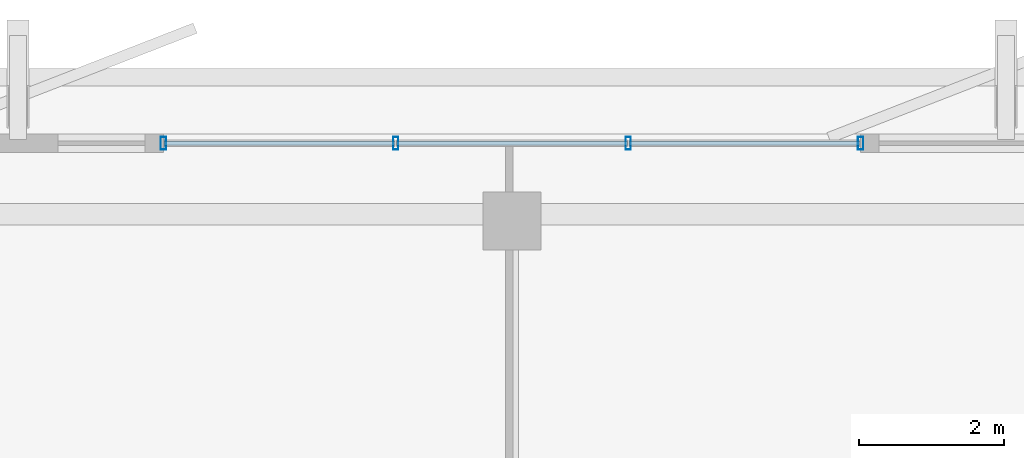
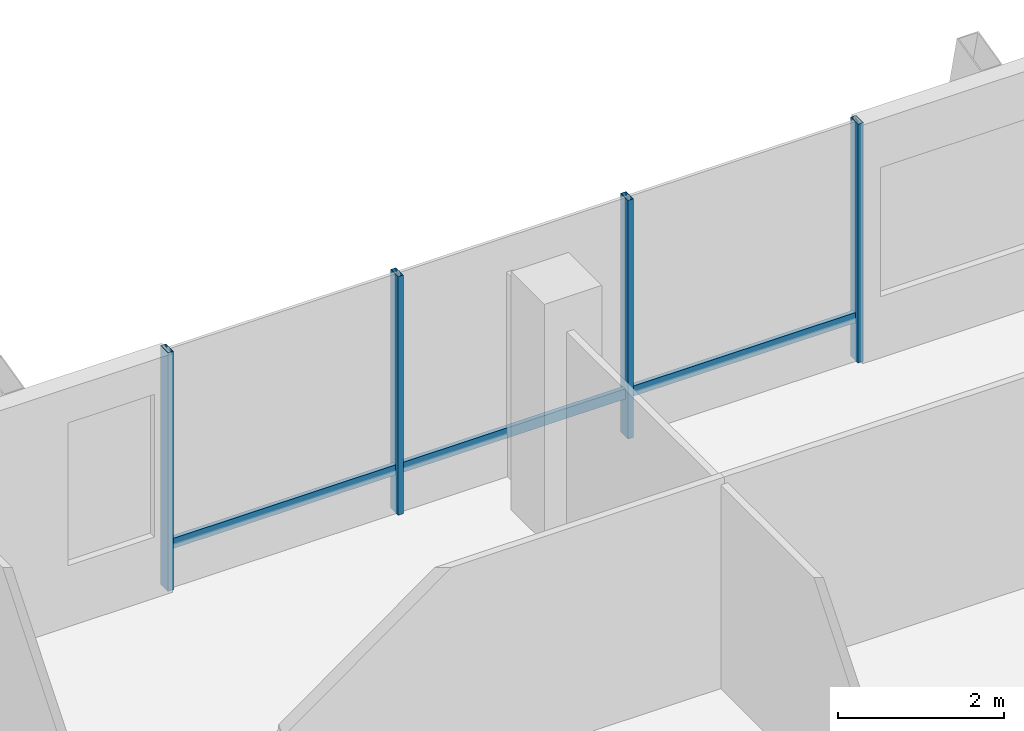
# One storey, part 12 of 18: 7 members, 1 element without a shape of its own.
"""IFC4 building model written with IfcOpenShell, lengths in metres."""

from ifc_helpers import new_model, si_unit, direction, frame, origin, origin_2d, place, context, subcontext, project, spatial, hollow_rectangle, extrude, material, layer, layer_set, material_profile, profile_set, type_object, element, aggregate, save


model = new_model("IFC4")

# Units and contexts
model_context = context("Model", 3, precision=1e-05, world=origin(), true_north=direction((0.0, 1.0)))
body_context = subcontext(model_context, "Body", "Model", "MODEL_VIEW")
ifc_project = project(units=[si_unit("LENGTHUNIT", "METRE"), si_unit("AREAUNIT", "SQUARE_METRE"), si_unit("VOLUMEUNIT", "CUBIC_METRE"), si_unit("PLANEANGLEUNIT", "RADIAN"), si_unit("MASSUNIT", "GRAM", prefix="KILO")], contexts=[model_context])

# Site, building, storey
site_placement = place(None, origin())
site = spatial("IfcSite", under=ifc_project, at=site_placement, CompositionType="ELEMENT")
building_placement = place(site_placement, origin())
building = spatial("IfcBuilding", under=site, at=building_placement, Name="Belovzor Exchange Tower", CompositionType="ELEMENT")
storey_placement = place(building_placement, frame((0.0, 0.0, 344.25)))
storey = spatial("IfcBuildingStorey", under=building, at=storey_placement, Name="L86", CompositionType="ELEMENT", Elevation=344.25)

# Curtain wall, members
ifc_material_1 = material(Name="Anodised Aluminium Framing", Category="aluminium")
ifc_layer = layer(ifc_material_1, 0.179931640625)
ifc_layer_set = layer_set([ifc_layer], Name="Anodised Aluminium Framing")
curtain_wall_type = type_object("IfcCurtainWallType", Name="Recessed Loggia Low-Iron Triple-Glazed Curtain Wall", PredefinedType="NOTDEFINED", material=ifc_layer_set)
curtain_wall_placement = place(storey_placement, origin())
curtain_wall = element("IfcCurtainWall", 1, at=curtain_wall_placement, inside=storey, type_object=curtain_wall_type, Name="CW3 Recessed Loggia Low-Iron Triple-Glazed Curtain Wall L86", PredefinedType="NOTDEFINED")
ifc_material_2 = material(Name="Steel S355", Category="steel")
ifc_material_profile_1 = material_profile(ifc_material_2, hollow_rectangle(XDim=0.074951171875, YDim=0.179931640625, WallThickness=0.0048828125, at=origin_2d()))
ifc_profile_set_1 = profile_set([ifc_material_profile_1], Name="Steel S355")
member_type_1 = type_object("IfcMemberType", Name="Thermally Broken Curtain Wall Mullion 180x75", PredefinedType="MULLION", material=ifc_profile_set_1)
member_1_placement = place(storey_placement, frame((24.0, 49.969970703125, 0.0), z_axis=(0.0, 0.0, 1.0), x_axis=(1.0, 0.0, 0.0)))
member_1 = element("IfcMember", 2, at=member_1_placement, type_object=member_type_1, Name="CW-M180 Curtain Wall Mullion 1", PredefinedType="MULLION", context=body_context, shape_type="SweptSolid", body=[
    extrude(hollow_rectangle(XDim=0.074951171875, YDim=0.179931640625, WallThickness=0.0048828125, at=origin_2d()), origin(), (0.0, 0.0, 1.0), 3.510009765625),
])
member_2_placement = place(storey_placement, frame((27.199951171875, 49.969970703125, 0.0), z_axis=(0.0, 0.0, 1.0), x_axis=(1.0, 0.0, 0.0)))
member_2 = element("IfcMember", 3, at=member_2_placement, type_object=member_type_1, Name="CW-M180 Curtain Wall Mullion 2", PredefinedType="MULLION", context=body_context, shape_type="SweptSolid", body=[
    extrude(hollow_rectangle(XDim=0.074951171875, YDim=0.179931640625, WallThickness=0.0048828125, at=origin_2d()), origin(), (0.0, 0.0, 1.0), 3.510009765625),
])
member_3_placement = place(storey_placement, frame((30.39990234375, 49.969970703125, 0.0), z_axis=(0.0, 0.0, 1.0), x_axis=(1.0, 0.0, 0.0)))
member_3 = element("IfcMember", 4, at=member_3_placement, type_object=member_type_1, Name="CW-M180 Curtain Wall Mullion 3", PredefinedType="MULLION", context=body_context, shape_type="SweptSolid", body=[
    extrude(hollow_rectangle(XDim=0.074951171875, YDim=0.179931640625, WallThickness=0.0048828125, at=origin_2d()), origin(), (0.0, 0.0, 1.0), 3.510009765625),
])
member_4_placement = place(storey_placement, frame((33.60009765625, 49.969970703125, 0.0), z_axis=(0.0, 0.0, 1.0), x_axis=(1.0, 0.0, 0.0)))
member_4 = element("IfcMember", 5, at=member_4_placement, type_object=member_type_1, Name="CW-M180 Curtain Wall Mullion 4", PredefinedType="MULLION", context=body_context, shape_type="SweptSolid", body=[
    extrude(hollow_rectangle(XDim=0.074951171875, YDim=0.179931640625, WallThickness=0.0048828125, at=origin_2d()), origin(), (0.0, 0.0, 1.0), 3.510009765625),
])
ifc_material_3 = material(Name="Steel S355", Category="steel")
ifc_material_profile_2 = material_profile(ifc_material_3, hollow_rectangle(XDim=0.06005859375, YDim=0.14990234375, WallThickness=0.00390625, at=origin_2d()))
ifc_profile_set_2 = profile_set([ifc_material_profile_2], Name="Steel S355")
member_type_2 = type_object("IfcMemberType", Name="Thermally Broken Curtain Wall Transom 150x60", PredefinedType="USERDEFINED", material=ifc_profile_set_2)
member_5_placement = place(storey_placement, frame((24.008056640625, 49.969970703125, 0.632080078125), z_axis=(1.0, 0.0, 0.0), x_axis=(0.0, 1.0, 0.0)))
member_5 = element("IfcMember", 6, at=member_5_placement, type_object=member_type_2, Name="CW-T150 Curtain Wall Transom 1", ObjectType="TRANSOM", PredefinedType="USERDEFINED", context=body_context, shape_type="SweptSolid", body=[
    extrude(hollow_rectangle(XDim=0.06005859375, YDim=0.14990234375, WallThickness=0.00390625, at=origin_2d()), origin(), (0.0, 0.0, 1.0), 3.183837890625),
])
member_6_placement = place(storey_placement, frame((27.2080078125, 49.969970703125, 0.632080078125), z_axis=(1.0, 0.0, 0.0), x_axis=(0.0, 1.0, 0.0)))
member_6 = element("IfcMember", 7, at=member_6_placement, type_object=member_type_2, Name="CW-T150 Curtain Wall Transom 2", ObjectType="TRANSOM", PredefinedType="USERDEFINED", context=body_context, shape_type="SweptSolid", body=[
    extrude(hollow_rectangle(XDim=0.06005859375, YDim=0.14990234375, WallThickness=0.00390625, at=origin_2d()), origin(), (0.0, 0.0, 1.0), 3.18408203125),
])
member_7_placement = place(storey_placement, frame((30.407958984375, 49.969970703125, 0.632080078125), z_axis=(1.0, 0.0, 0.0), x_axis=(0.0, 1.0, 0.0)))
member_7 = element("IfcMember", 8, at=member_7_placement, type_object=member_type_2, Name="CW-T150 Curtain Wall Transom 3", ObjectType="TRANSOM", PredefinedType="USERDEFINED", context=body_context, shape_type="SweptSolid", body=[
    extrude(hollow_rectangle(XDim=0.06005859375, YDim=0.14990234375, WallThickness=0.00390625, at=origin_2d()), origin(), (0.0, 0.0, 1.0), 3.18408203125),
])
aggregate(curtain_wall, [member_1, member_2, member_3, member_4, member_5, member_6, member_7])

save(model, "model.ifc")
